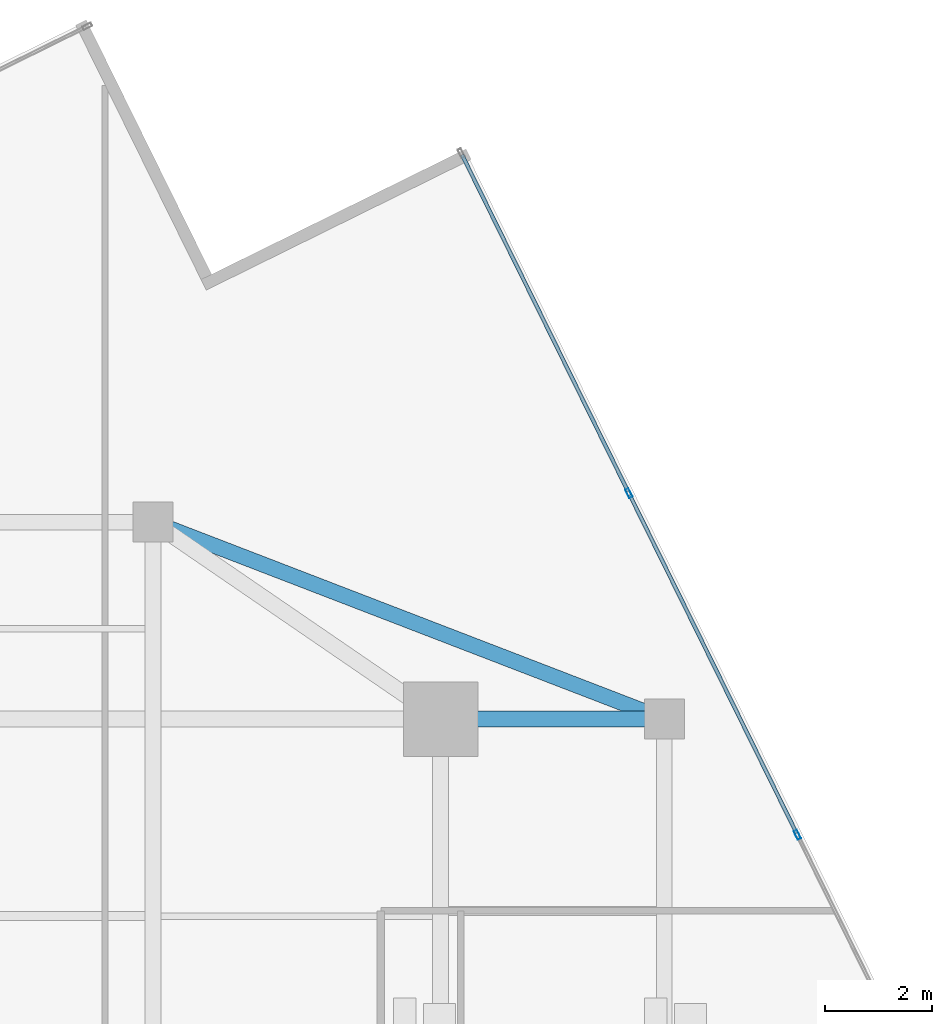
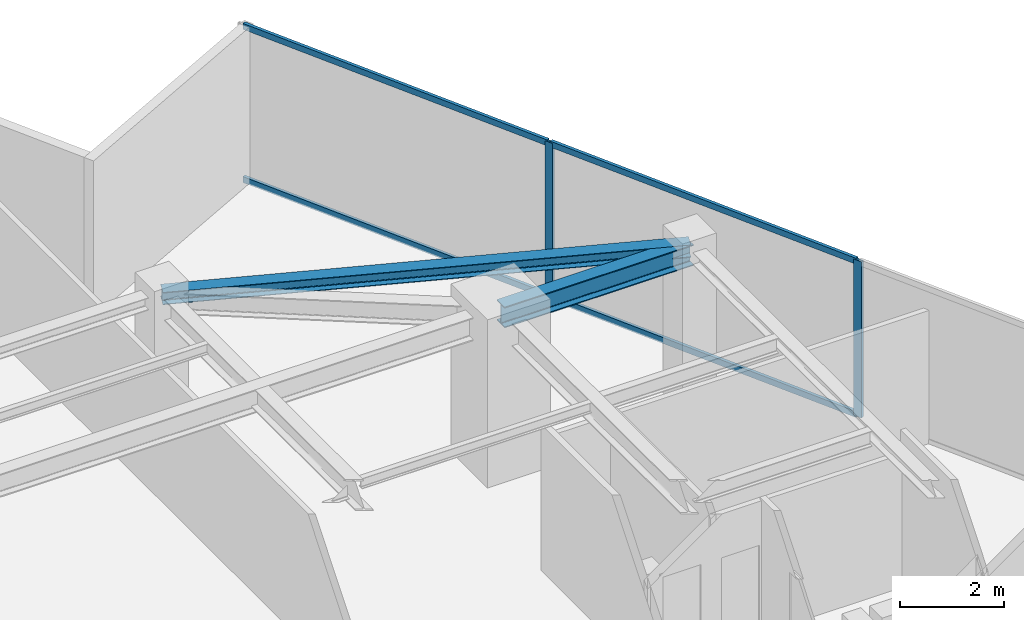
# One storey, part 16 of 22: 6 members, 2 beams, 1 element without a shape of its own.
"""IFC4 building model written with IfcOpenShell, lengths in metres."""

import ifcopenshell
import ifcopenshell.guid

model = None  # the IFC model being written
_history = None  # IfcOwnerHistory: only IFC2X3 demands one
_inside = {}  # id of a spatial element -> (the spatial element, [elements in it])
_under = {}  # id of a project, library or spatial element -> (it, [spatial elements below it])
_declared = {}  # id of a project -> (the project, [libraries it declares])
_typed = {}  # id of a type object -> (the type object, [elements of that type])
_made_of = {}  # id of a material, layer set ... -> (it, [elements and type objects made of it])


def new_model(schema):
    """Start an empty IFC model of exactly this schema.

    Asked for "IFC4X3", IfcOpenShell would pick the latest addendum, in which some entities
    have other attributes; the version numbers below select the first issue.
    IFC2X3 requires an IfcOwnerHistory on every rooted entity: one is made here for all.
    """
    global model, _history
    if schema == "IFC4X3":
        model = ifcopenshell.file(schema_version=(4, 3, 0, 0))
    else:
        model = ifcopenshell.file(schema=schema)
    _inside.clear()
    _under.clear()
    _declared.clear()
    _typed.clear()
    _made_of.clear()
    _history = None
    if model.schema == "IFC2X3":
        org = make("IfcOrganization", Name="unknown")
        user = make(
            "IfcPersonAndOrganization",
            ThePerson=make("IfcPerson", FamilyName="unknown"),
            TheOrganization=org,
        )
        app = make(
            "IfcApplication",
            ApplicationDeveloper=org,
            Version="unknown",
            ApplicationFullName="unknown",
            ApplicationIdentifier="unknown",
        )
        _history = make(
            "IfcOwnerHistory",
            OwningUser=user,
            OwningApplication=app,
            ChangeAction="ADDED",
            CreationDate=0,
        )
    return model


def make(cls, **values):
    """One entity of the class cls with the attributes given. An attribute that is None is left unset."""
    return model.create_entity(
        cls, **{name: value for name, value in values.items() if value is not None}
    )


def rooted(cls, **values):
    """An entity with a GlobalId (a new one), such as an element, a storey or a relation."""
    return make(cls, GlobalId=ifcopenshell.guid.new(), OwnerHistory=_history, **values)


def si_unit(unit_type, name, prefix=None):
    """IfcSIUnit, for example si_unit("LENGTHUNIT", "METRE", prefix="MILLI")."""
    return make("IfcSIUnit", UnitType=unit_type, Prefix=prefix, Name=name)


def assignment(units):
    """IfcUnitAssignment: the units of a project."""
    return None if units is None else make("IfcUnitAssignment", Units=units)


def point(xyz):
    """IfcCartesianPoint."""
    return None if xyz is None else make("IfcCartesianPoint", Coordinates=xyz)


def direction(xyz):
    """IfcDirection."""
    return None if xyz is None else make("IfcDirection", DirectionRatios=xyz)


def frame(location, z_axis=None, x_axis=None):
    """IfcAxis2Placement3D, a coordinate frame: its origin and axes. An axis left out is left unset."""
    return make(
        "IfcAxis2Placement3D",
        Location=point(location),
        Axis=direction(z_axis),
        RefDirection=direction(x_axis),
    )


def frame_2d(location, x_axis=None):
    """IfcAxis2Placement2D, a coordinate frame in the plane: its origin and x axis."""
    return make(
        "IfcAxis2Placement2D", Location=point(location), RefDirection=direction(x_axis)
    )


def origin():
    """The frame at (0, 0, 0) with its axes left unset."""
    return frame((0.0, 0.0, 0.0))


def origin_2d():
    """The frame at (0, 0) in the plane with its x axis left unset."""
    return frame_2d((0.0, 0.0))


def place(relative_to, where):
    """IfcLocalPlacement: puts the frame where relative to a parent placement (None: the world)."""
    return make(
        "IfcLocalPlacement", PlacementRelTo=relative_to, RelativePlacement=where
    )


def context(
    kind, dimensions, precision=None, world=None, true_north=None, identifier=None
):
    """IfcGeometricRepresentationContext, for example the 3D "Model" context."""
    return make(
        "IfcGeometricRepresentationContext",
        ContextIdentifier=identifier,
        ContextType=kind,
        CoordinateSpaceDimension=dimensions,
        Precision=precision,
        WorldCoordinateSystem=world,
        TrueNorth=true_north,
    )


def subcontext(parent, identifier, kind, view, scale=None):
    """IfcGeometricRepresentationSubContext, for example "Body" below "Model"."""
    return make(
        "IfcGeometricRepresentationSubContext",
        ContextIdentifier=identifier,
        ContextType=kind,
        ParentContext=parent,
        TargetScale=scale,
        TargetView=view,
    )


def project(units=None, contexts=None):
    """IfcProject with its units and contexts."""
    return rooted(
        "IfcProject",
        Name="project",
        RepresentationContexts=contexts,
        UnitsInContext=assignment(units),
    )


def spatial(cls, under=None, at=None, **own):
    """A site, building, storey or space (cls), placed at a placement, below another one or the project."""
    s = rooted(cls, ObjectPlacement=at, **own)
    if under is not None:
        _under.setdefault(under.id(), (under, []))[1].append(s)
    return s


def profile(cls, at=None, kind="AREA", **sizes):
    """A parametric profile (cls). Its sizes go by their IFC names, for example OverallWidth=200.0."""
    return make(cls, ProfileType=kind, Position=at, **sizes)


def hollow_rectangle(**sizes):
    """IfcRectangleHollowProfileDef."""
    return profile("IfcRectangleHollowProfileDef", **sizes)


def i_section(**sizes):
    """IfcIShapeProfileDef."""
    return profile("IfcIShapeProfileDef", **sizes)


def extrude(swept, where, along, depth):
    """IfcExtrudedAreaSolid: the profile swept, set in the frame where, extruded along a direction by depth."""
    return make(
        "IfcExtrudedAreaSolid",
        SweptArea=swept,
        Position=where,
        ExtrudedDirection=direction(along),
        Depth=depth,
    )


def shape(context_of_items, identifier, shape_type, items):
    """IfcShapeRepresentation: the items that make up one representation, for example the "Body"."""
    return make(
        "IfcShapeRepresentation",
        ContextOfItems=context_of_items,
        RepresentationIdentifier=identifier,
        RepresentationType=shape_type,
        Items=items,
    )


def source(mapping_origin, context_of_items, identifier, shape_type, items):
    """IfcRepresentationMap: a shape defined once, which mapped items show again and again."""
    return make(
        "IfcRepresentationMap",
        MappingOrigin=mapping_origin,
        MappedRepresentation=shape(context_of_items, identifier, shape_type, items),
    )


def transform(
    local_origin,
    x_axis=None,
    y_axis=None,
    z_axis=None,
    scale=None,
    scale2=None,
    scale3=None,
    uniform=True,
):
    """IfcCartesianTransformationOperator3D, or its non-uniform kind. x_axis, y_axis, z_axis: its Axis1, 2, 3."""
    if uniform:
        return make(
            "IfcCartesianTransformationOperator3D",
            Axis1=direction(x_axis),
            Axis2=direction(y_axis),
            LocalOrigin=point(local_origin),
            Scale=scale,
            Axis3=direction(z_axis),
        )
    return make(
        "IfcCartesianTransformationOperator3DnonUniform",
        Axis1=direction(x_axis),
        Axis2=direction(y_axis),
        LocalOrigin=point(local_origin),
        Scale=scale,
        Axis3=direction(z_axis),
        Scale2=scale2,
        Scale3=scale3,
    )


def mapped(mapping_source, mapping_target):
    """IfcMappedItem: shows the shape of a source again, moved by a transform."""
    return make(
        "IfcMappedItem", MappingSource=mapping_source, MappingTarget=mapping_target
    )


def material(Name=None, Category=None):
    """IfcMaterial."""
    return make("IfcMaterial", Name=Name, Category=Category)


def material_profile(
    of_material, cross_section, Name=None, Category=None, Priority=None
):
    """IfcMaterialProfile: a cross section and its material."""
    return make(
        "IfcMaterialProfile",
        Name=Name,
        Material=of_material,
        Profile=cross_section,
        Priority=Priority,
        Category=Category,
    )


def profile_set(profiles, Name=None, composite=None):
    """IfcMaterialProfileSet."""
    return make(
        "IfcMaterialProfileSet",
        Name=Name,
        MaterialProfiles=profiles,
        CompositeProfile=composite,
    )


def made_of(thing, what):
    """Note that an element or type object is made of a material, layer set ...; save() writes the relation."""
    if what is not None:
        _made_of.setdefault(what.id(), (what, []))[1].append(thing)
    return thing


def type_object(cls, material=None, **own):
    """A type object (cls), such as IfcWallType, which elements share."""
    return made_of(rooted(cls, **own), material)


def type_shapes(of_type, sources):
    """Give a type object the sources (RepresentationMaps) that its elements show as mapped items."""
    of_type.RepresentationMaps = sources


def element(
    cls,
    number,
    at=None,
    inside=None,
    cuts=None,
    type_object=None,
    material=None,
    context=None,
    identifier="Body",
    shape_type=None,
    held_by="IfcProductDefinitionShape",
    body=None,
    shapes=None,
    **own,
):
    """One element of the class cls, such as IfcWall. Its Tag is "e" and its number.

    at: its placement. inside: the storey or other place that contains it. cuts: it is an
    opening in that element (IfcRelVoidsElement). A single representation is given by context,
    identifier, shape_type and body (its items); several are given by shapes. held_by: the class
    of the entity that holds the representations. save() writes the other relations.
    """
    e = rooted(cls, Tag="e%d" % number, ObjectPlacement=at, **own)
    if body is not None:
        shapes = [shape(context, identifier, shape_type, body)]
    if shapes is not None:
        e.Representation = make(held_by, Representations=shapes)
    if inside is not None:
        _inside.setdefault(inside.id(), (inside, []))[1].append(e)
    if cuts is not None:
        rooted(
            "IfcRelVoidsElement", RelatingBuildingElement=cuts, RelatedOpeningElement=e
        )
    if type_object is not None:
        _typed.setdefault(type_object.id(), (type_object, []))[1].append(e)
    return made_of(e, material)


def aggregate(whole, parts):
    """IfcRelAggregates: a whole, such as a stair, and the parts it consists of."""
    return rooted("IfcRelAggregates", RelatingObject=whole, RelatedObjects=parts)


def save(model, path):
    """Write the relations noted so far, then the file.

    IfcRelAggregates (storeys below a building ...), IfcRelContainedInSpatialStructure (elements
    in a storey), IfcRelDefinesByType, IfcRelAssociatesMaterial and IfcRelDeclares: one each for
    every whole, place, type object, material and project.
    """
    for whole, parts in _under.values():
        aggregate(whole, parts)
    for where, things in _inside.values():
        rooted(
            "IfcRelContainedInSpatialStructure",
            RelatedElements=things,
            RelatingStructure=where,
        )
    for kind, things in _typed.values():
        rooted("IfcRelDefinesByType", RelatedObjects=things, RelatingType=kind)
    for what, things in _made_of.values():
        rooted("IfcRelAssociatesMaterial", RelatedObjects=things, RelatingMaterial=what)
    for by, libraries in _declared.values():
        rooted("IfcRelDeclares", RelatingContext=by, RelatedDefinitions=libraries)
    model.write(path)


model = new_model("IFC4")

# Units and contexts
model_context = context("Model", 3, precision=1e-05, world=origin(), true_north=direction((0.0, 1.0)))
body_context = subcontext(model_context, "Body", "Model", "MODEL_VIEW")
ifc_project = project(units=[si_unit("LENGTHUNIT", "METRE"), si_unit("AREAUNIT", "SQUARE_METRE"), si_unit("VOLUMEUNIT", "CUBIC_METRE"), si_unit("PLANEANGLEUNIT", "RADIAN"), si_unit("MASSUNIT", "GRAM", prefix="KILO")], contexts=[model_context])

# Site, building, storey
site_placement = place(None, origin())
site = spatial("IfcSite", under=ifc_project, at=site_placement, CompositionType="ELEMENT")
building_placement = place(site_placement, origin())
building = spatial("IfcBuilding", under=site, at=building_placement, Name="Krantzveldt Concourse Tower", CompositionType="ELEMENT")
storey_placement = place(building_placement, frame((0.0, 0.0, 310.85009765625)))
storey = spatial("IfcBuildingStorey", under=building, at=storey_placement, Name="L76", CompositionType="ELEMENT", Elevation=310.85009765625)

# Beams
ifc_material_1 = material(Name="Steel S355JR", Category="steel")
ifc_material_profile_1 = material_profile(ifc_material_1, i_section(OverallWidth=0.300048828125, OverallDepth=0.489990234375, WebThickness=0.011962890625, FlangeThickness=0.02294921875, FilletRadius=0.027099609375, at=origin_2d()), Name="Steel S355JR", Category="steel")
ifc_profile_set_1 = profile_set([ifc_material_profile_1], Name="Steel S355JR - HEA 500")
beam_type_1 = type_object("IfcBeamType", Name="BM-B-HEA500", PredefinedType="BEAM", material=ifc_profile_set_1)
shared_shape_1 = source(origin(), body_context, "Body", "SweptSolid", [
    extrude(i_section(OverallWidth=0.300048828125, OverallDepth=0.489990234375, WebThickness=0.011962890625, FlangeThickness=0.02294921875, FilletRadius=0.027099609375, at=origin_2d()), origin(), (0.0, 0.0, 1.0), 4.199951171875),
])
type_shapes(beam_type_1, [shared_shape_1])
beam_1_placement = place(storey_placement, frame((46.800048828125, 37.5, 3.4248046875), z_axis=(1.0, 0.0, 0.0), x_axis=(0.0, 1.0, 0.0)))
element("IfcBeam", 1, at=beam_1_placement, inside=storey, type_object=beam_type_1, Name="L76 Tower Girder BR-RR3", PredefinedType="BEAM", context=body_context, shape_type="MappedRepresentation", body=[
    mapped(shared_shape_1, transform((0.0, 0.0, 0.0), x_axis=(1.0, 0.0, 0.0), y_axis=(0.0, 1.0, 0.0), z_axis=(0.0, 0.0, 1.0), scale=1.0)),
])
ifc_material_profile_2 = material_profile(ifc_material_1, i_section(OverallWidth=0.2900390625, OverallDepth=0.2900390625, WebThickness=0.008544921875, FlangeThickness=0.013916015625, FilletRadius=0.027099609375, at=origin_2d()), Name="Steel S355JR", Category="steel")
ifc_profile_set_2 = profile_set([ifc_material_profile_2], Name="Steel S355JR - HEA 300")
beam_type_2 = type_object("IfcBeamType", Name="BM-SP-HEA300", PredefinedType="SPANDREL", material=ifc_profile_set_2)
shared_shape_2 = source(origin(), body_context, "Body", "SweptSolid", [
    extrude(i_section(OverallWidth=0.2900390625, OverallDepth=0.2900390625, WebThickness=0.008544921875, FlangeThickness=0.013916015625, FilletRadius=0.027099609375, at=origin_2d()), origin(), (0.0, 0.0, 1.0), 10.288330078125),
])
type_shapes(beam_type_2, [shared_shape_2])
beam_2_placement = place(storey_placement, frame((41.39990234375, 41.199951171875, 3.52490234375), z_axis=(0.933097690408, -0.359622997257, 0.0), x_axis=(0.359622997257, 0.933097690408, 0.0)))
element("IfcBeam", 2, at=beam_2_placement, inside=storey, type_object=beam_type_2, Name="L76 Tower Girder SP-R05", PredefinedType="SPANDREL", context=body_context, shape_type="MappedRepresentation", body=[
    mapped(shared_shape_2, transform((0.0, 0.0, 0.0), x_axis=(1.0, 0.0, 0.0), y_axis=(0.0, 1.0, 0.0), z_axis=(0.0, 0.0, 1.0), scale=1.0)),
])

# Curtain wall, members
ifc_material_2 = material(Name="Anodised aluminium 6063-T6", Category="aluminium")
curtain_wall_type = type_object("IfcCurtainWallType", Name="CW4", PredefinedType="USERDEFINED", material=ifc_material_2)
curtain_wall_placement = place(storey_placement, origin())
curtain_wall = element("IfcCurtainWall", 3, at=curtain_wall_placement, inside=storey, type_object=curtain_wall_type, Name="CW-L76-F10", ObjectType="UNITISED CURTAIN WALL", PredefinedType="USERDEFINED")
ifc_material_profile_3 = material_profile(ifc_material_2, hollow_rectangle(XDim=0.070068359375, YDim=0.179931640625, WallThickness=0.0048828125, at=origin_2d()), Name="Anodised aluminium 6063-T6", Category="aluminium")
ifc_profile_set_3 = profile_set([ifc_material_profile_3], Name="Anodised aluminium 6063-T6 - ALU-MULL 180x70x5")
member_type_1 = type_object("IfcMemberType", Name="CW-MUL-180", PredefinedType="MULLION", material=ifc_profile_set_3)
shared_shape_3 = source(origin(), body_context, "Body", "SweptSolid", [
    extrude(hollow_rectangle(XDim=0.070068359375, YDim=0.179931640625, WallThickness=0.0048828125, at=origin_2d()), origin(), (0.0, 0.0, 1.0), 3.669921875),
])
type_shapes(member_type_1, [shared_shape_3])
member_1_placement = place(storey_placement, frame((53.498046875, 35.3291015625, 0.0), z_axis=(0.0, 0.0, 1.0), x_axis=(-0.896872829457, -0.442288511927, 0.0)))
member_1 = element("IfcMember", 4, at=member_1_placement, type_object=member_type_1, Name="CW-Z56 mullion 3", PredefinedType="MULLION", context=body_context, shape_type="MappedRepresentation", body=[
    mapped(shared_shape_3, transform((0.0, 0.0, 0.0), x_axis=(1.0, 0.0, 0.0), y_axis=(0.0, 1.0, 0.0), z_axis=(0.0, 0.0, 1.0), scale=1.0)),
])
member_2_placement = place(storey_placement, frame((50.335693359375, 41.74169921875, 0.0), z_axis=(0.0, 0.0, 1.0), x_axis=(-0.896872829457, -0.442288511927, 0.0)))
member_2 = element("IfcMember", 5, at=member_2_placement, type_object=member_type_1, Name="CW-Z56 mullion 4", PredefinedType="MULLION", context=body_context, shape_type="MappedRepresentation", body=[
    mapped(shared_shape_3, transform((0.0, 0.0, 0.0), x_axis=(1.0, 0.0, 0.0), y_axis=(0.0, 1.0, 0.0), z_axis=(0.0, 0.0, 1.0), scale=1.0)),
])
ifc_material_profile_4 = material_profile(ifc_material_2, hollow_rectangle(XDim=0.070068359375, YDim=0.139892578125, WallThickness=0.0048828125, at=origin_2d()), Name="Anodised aluminium 6063-T6", Category="aluminium")
ifc_profile_set_4 = profile_set([ifc_material_profile_4], Name="Anodised aluminium 6063-T6 - ALU-TRAN 140x70x5")
member_type_2 = type_object("IfcMemberType", Name="CW-TRN-150", PredefinedType="USERDEFINED", material=ifc_profile_set_4)
shared_shape_4 = source(origin(), body_context, "Body", "SweptSolid", [
    extrude(hollow_rectangle(XDim=0.070068359375, YDim=0.139892578125, WallThickness=0.0048828125, at=origin_2d()), origin(), (0.0, 0.0, 1.0), 7.044921875),
])
member_3_placement = place(storey_placement, frame((50.320068359375, 41.773193359375, 0.034912109375), z_axis=(-0.442299739391, 0.896867292599, 0.0), x_axis=(-0.896867292599, -0.442299739391, 0.0)))
member_3 = element("IfcMember", 6, at=member_3_placement, type_object=member_type_2, Name="CW-Z56 transom 4.1", ObjectType="TRANSOM", PredefinedType="USERDEFINED", context=body_context, shape_type="MappedRepresentation", body=[
    mapped(shared_shape_4, transform((0.0, 0.0, 0.0), x_axis=(1.0, 0.0, 0.0), y_axis=(0.0, 1.0, 0.0), z_axis=(0.0, 0.0, 1.0), scale=1.0)),
])
member_4_placement = place(storey_placement, frame((50.320068359375, 41.773193359375, 3.635009765625), z_axis=(-0.442299739391, 0.896867292599, 0.0), x_axis=(-0.896867292599, -0.442299739391, 0.0)))
member_4 = element("IfcMember", 7, at=member_4_placement, type_object=member_type_2, Name="CW-Z56 transom 4.2", ObjectType="TRANSOM", PredefinedType="USERDEFINED", context=body_context, shape_type="MappedRepresentation", body=[
    mapped(shared_shape_4, transform((0.0, 0.0, 0.0), x_axis=(1.0, 0.0, 0.0), y_axis=(0.0, 1.0, 0.0), z_axis=(0.0, 0.0, 1.0), scale=1.0)),
])
shared_shape_5 = source(origin(), body_context, "Body", "SweptSolid", [
    extrude(hollow_rectangle(XDim=0.070068359375, YDim=0.139892578125, WallThickness=0.0048828125, at=origin_2d()), origin(), (0.0, 0.0, 1.0), 7.080078125),
])
type_shapes(member_type_2, [shared_shape_4, shared_shape_5])
member_5_placement = place(storey_placement, frame((53.482421875, 35.3603515625, 0.034912109375), z_axis=(-0.442282604958, 0.896875742426, 0.0), x_axis=(-0.896875742426, -0.442282604958, 0.0)))
member_5 = element("IfcMember", 8, at=member_5_placement, type_object=member_type_2, Name="CW-Z56 transom 3.1", ObjectType="TRANSOM", PredefinedType="USERDEFINED", context=body_context, shape_type="MappedRepresentation", body=[
    mapped(shared_shape_5, transform((0.0, 0.0, 0.0), x_axis=(1.0, 0.0, 0.0), y_axis=(0.0, 1.0, 0.0), z_axis=(0.0, 0.0, 1.0), scale=1.0)),
])
member_6_placement = place(storey_placement, frame((53.482421875, 35.3603515625, 3.635009765625), z_axis=(-0.442282604958, 0.896875742426, 0.0), x_axis=(-0.896875742426, -0.442282604958, 0.0)))
member_6 = element("IfcMember", 9, at=member_6_placement, type_object=member_type_2, Name="CW-Z56 transom 3.2", ObjectType="TRANSOM", PredefinedType="USERDEFINED", context=body_context, shape_type="MappedRepresentation", body=[
    mapped(shared_shape_5, transform((0.0, 0.0, 0.0), x_axis=(1.0, 0.0, 0.0), y_axis=(0.0, 1.0, 0.0), z_axis=(0.0, 0.0, 1.0), scale=1.0)),
])
aggregate(curtain_wall, [member_1, member_2, member_5, member_6, member_3, member_4])

save(model, "model.ifc")
